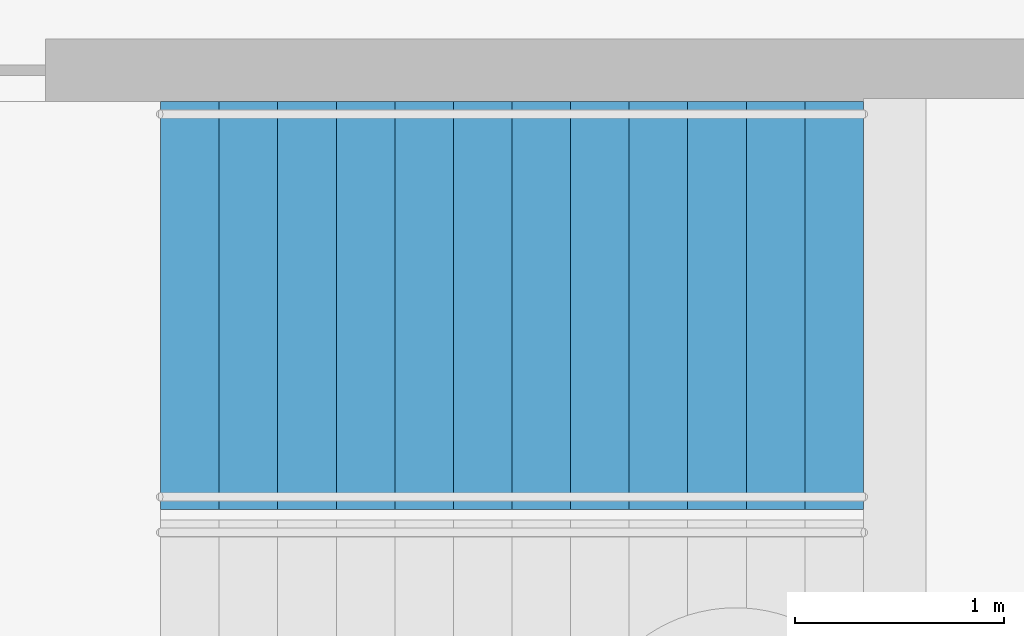
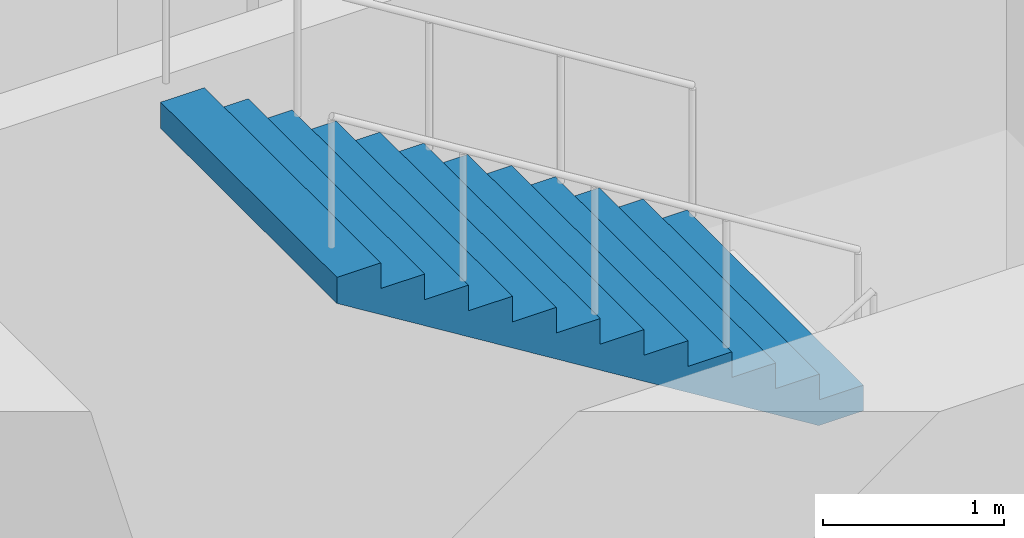
# One storey, part 10 of 28: 1 stair flight, 1 element without a shape of its own.
"""IFC4 building model written with IfcOpenShell, lengths in metres."""

from ifc_helpers import new_model, si_unit, direction, frame, origin, place, context, subcontext, project, spatial, triangles, material, type_object, element, aggregate, save


model = new_model("IFC4")

# Units and contexts
model_context = context("Model", 3, precision=1e-05, world=origin(), true_north=direction((0.0, 1.0)))
body_context = subcontext(model_context, "Body", "Model", "MODEL_VIEW")
ifc_project = project(units=[si_unit("LENGTHUNIT", "METRE"), si_unit("AREAUNIT", "SQUARE_METRE"), si_unit("VOLUMEUNIT", "CUBIC_METRE"), si_unit("PLANEANGLEUNIT", "RADIAN"), si_unit("MASSUNIT", "GRAM", prefix="KILO")], contexts=[model_context])

# Site, building, storey
site_placement = place(None, origin())
site = spatial("IfcSite", under=ifc_project, at=site_placement, CompositionType="ELEMENT")
building_placement = place(site_placement, origin())
building = spatial("IfcBuilding", under=site, at=building_placement, Name="Orbita Commons", CompositionType="ELEMENT")
storey_placement = place(building_placement, frame((0.0, 0.0, -9.0)))
storey = spatial("IfcBuildingStorey", under=building, at=storey_placement, Name="L-02", CompositionType="ELEMENT", Elevation=-9.0)

# Stair, stair flight
ifc_material_1 = material(Name="Precast concrete C40/50", Category="concrete")
stair_type = type_object("IfcStairType", Name="Exit stair S1 2 flights 13 risers 173", PredefinedType="HALF_TURN_STAIR", material=ifc_material_1)
stair_placement = place(storey_placement, origin())
stair = element("IfcStair", 1, at=stair_placement, inside=storey, type_object=stair_type, Name="Exit stair S1 L-02", PredefinedType="HALF_TURN_STAIR")
ifc_material_2 = material(Name="Precast concrete C40/50", Category="concrete")
stair_flight_type = type_object("IfcStairFlightType", Name="Stair flight 13 risers 173 x 280", PredefinedType="STRAIGHT", material=ifc_material_2)
stair_flight_placement = place(storey_placement, frame((23.81005859375, 29.27490234375, 2.25), z_axis=(0.0, 0.0, 1.0), x_axis=(-1.0, 0.0, 0.0)))
stair_flight = element("IfcStairFlight", 2, at=stair_flight_placement, type_object=stair_flight_type, Name="S1 flight 2", NumberOfRisers=13, NumberOfTreads=12, PredefinedType="STRAIGHT", RiserHeight=0.173076923, TreadLength=0.28, context=body_context, shape_type="Tessellation", body=[
    triangles([(0.0, 0.974976, 0.0), (0.0, 0.974976, 0.021635), (0.0, 0.81248, 0.021635), (0.0, 0.81248, 0.0), (0.0, 0.649984, 0.021635), (0.0, 0.649984, 0.0), (0.0, 0.487488, 0.021635), (0.0, 0.487488, 0.0), (0.0, 0.324992, 0.021635), (0.0, 0.324992, 0.0), (0.0, 0.162496, 0.021635), (0.0, 0.162496, 0.0), (0.0, 0.0, 0.021635), (0.0, 0.0, 0.0), (0.0, -0.162496, 0.021635), (0.0, -0.162496, 0.0), (0.0, -0.324992, 0.021635), (0.0, -0.324992, 0.0), (0.0, -0.487488, 0.021635), (0.0, -0.487488, 0.0), (0.0, -0.649984, 0.021635), (0.0, -0.649984, 0.0), (0.0, -0.81248, 0.021635), (0.0, -0.81248, 0.0), (0.0, -0.974976, 0.021635), (0.0, -0.974976, 0.0), (0.0, 0.974976, 0.043269), (0.0, 0.81248, 0.043269), (0.0, 0.649984, 0.043269), (0.0, 0.487488, 0.043269), (0.0, 0.324992, 0.043269), (0.0, 0.162496, 0.043269), (0.0, 0.0, 0.043269), (0.0, -0.162496, 0.043269), (0.0, -0.324992, 0.043269), (0.0, -0.487488, 0.043269), (0.0, -0.649984, 0.043269), (0.0, -0.81248, 0.043269), (0.0, -0.974976, 0.043269), (0.0, 0.974976, 0.064904), (0.0, 0.81248, 0.064904), (0.0, 0.649984, 0.064904), (0.0, 0.487488, 0.064904), (0.0, 0.324992, 0.064904), (0.0, 0.162496, 0.064904), (0.0, 0.0, 0.064904), (0.0, -0.162496, 0.064904), (0.0, -0.324992, 0.064904), (0.0, -0.487488, 0.064904), (0.0, -0.649984, 0.064904), (0.0, -0.81248, 0.064904), (0.0, -0.974976, 0.064904), (0.0, 0.974976, 0.086538), (0.0, 0.81248, 0.086538), (0.0, 0.649984, 0.086538), (0.0, 0.487488, 0.086538), (0.0, 0.324992, 0.086538), (0.0, 0.162496, 0.086538), (0.0, 0.0, 0.086538), (0.0, -0.162496, 0.086538), (0.0, -0.324992, 0.086538), (0.0, -0.487488, 0.086538), (0.0, -0.649984, 0.086538), (0.0, -0.81248, 0.086538), (0.0, -0.974976, 0.086538), (0.0, 0.974976, 0.108173), (0.0, 0.81248, 0.108173), (0.0, 0.649984, 0.108173), (0.0, 0.487488, 0.108173), (0.0, 0.324992, 0.108173), (0.0, 0.162496, 0.108173), (0.0, 0.0, 0.108173), (0.0, -0.162496, 0.108173), (0.0, -0.324992, 0.108173), (0.0, -0.487488, 0.108173), (0.0, -0.649984, 0.108173), (0.0, -0.81248, 0.108173), (0.0, -0.974976, 0.108173), (0.0, 0.974976, 0.129808), (0.0, 0.81248, 0.129808), (0.0, 0.649984, 0.129808), (0.0, 0.487488, 0.129808), (0.0, 0.324992, 0.129808), (0.0, 0.162496, 0.129808), (0.0, 0.0, 0.129808), (0.0, -0.162496, 0.129808), (0.0, -0.324992, 0.129808), (0.0, -0.487488, 0.129808), (0.0, -0.649984, 0.129808), (0.0, -0.81248, 0.129808), (0.0, -0.974976, 0.129808), (0.0, 0.974976, 0.151442), (0.0, 0.81248, 0.151442), (0.0, 0.649984, 0.151442), (0.0, 0.487488, 0.151442), (0.0, 0.324992, 0.151442), (0.0, 0.162496, 0.151442), (0.0, 0.0, 0.151442), (0.0, -0.162496, 0.151442), (0.0, -0.324992, 0.151442), (0.0, -0.487488, 0.151442), (0.0, -0.649984, 0.151442), (0.0, -0.81248, 0.151442), (0.0, -0.974976, 0.151442), (0.0, 0.974976, 0.173077), (0.0, 0.81248, 0.173077), (0.0, 0.649984, 0.173077), (0.0, 0.487488, 0.173077), (0.0, 0.324992, 0.173077), (0.0, 0.162496, 0.173077), (0.0, 0.0, 0.173077), (0.0, -0.162496, 0.173077), (0.0, -0.324992, 0.173077), (0.0, -0.487488, 0.173077), (0.0, -0.649984, 0.173077), (0.0, -0.81248, 0.173077), (0.0, -0.974976, 0.173077), (0.28, 0.974976, 0.173077), (0.28, 0.81248, 0.173077), (0.28, 0.649984, 0.173077), (0.28, 0.487488, 0.173077), (0.28, 0.324992, 0.173077), (0.28, 0.162496, 0.173077), (0.28, 0.0, 0.173077), (0.28, -0.162496, 0.173077), (0.28, -0.324992, 0.173077), (0.28, -0.487488, 0.173077), (0.28, -0.649984, 0.173077), (0.28, -0.81248, 0.173077), (0.28, -0.974976, 0.173077), (0.28, 0.974976, 0.346154), (0.28, 0.81248, 0.346154), (0.28, 0.649984, 0.346154), (0.28, 0.487488, 0.346154), (0.28, 0.324992, 0.346154), (0.28, 0.162496, 0.346154), (0.28, 0.0, 0.346154), (0.28, -0.162496, 0.346154), (0.28, -0.324992, 0.346154), (0.28, -0.487488, 0.346154), (0.28, -0.649984, 0.346154), (0.28, -0.81248, 0.346154), (0.28, -0.974976, 0.346154), (0.56, 0.974976, 0.346154), (0.56, 0.81248, 0.346154), (0.56, 0.649984, 0.346154), (0.56, 0.487488, 0.346154), (0.56, 0.324992, 0.346154), (0.56, 0.162496, 0.346154), (0.56, 0.0, 0.346154), (0.56, -0.162496, 0.346154), (0.56, -0.324992, 0.346154), (0.56, -0.487488, 0.346154), (0.56, -0.649984, 0.346154), (0.56, -0.81248, 0.346154), (0.56, -0.974976, 0.346154), (0.56, 0.974976, 0.519231), (0.56, 0.81248, 0.519231), (0.56, 0.649984, 0.519231), (0.56, 0.487488, 0.519231), (0.56, 0.324992, 0.519231), (0.56, 0.162496, 0.519231), (0.56, 0.0, 0.519231), (0.56, -0.162496, 0.519231), (0.56, -0.324992, 0.519231), (0.56, -0.487488, 0.519231), (0.56, -0.649984, 0.519231), (0.56, -0.81248, 0.519231), (0.56, -0.974976, 0.519231), (0.84, 0.974976, 0.519231), (0.84, 0.81248, 0.519231), (0.84, 0.649984, 0.519231), (0.84, 0.487488, 0.519231), (0.84, 0.324992, 0.519231), (0.84, 0.162496, 0.519231), (0.84, 0.0, 0.519231), (0.84, -0.162496, 0.519231), (0.84, -0.324992, 0.519231), (0.84, -0.487488, 0.519231), (0.84, -0.649984, 0.519231), (0.84, -0.81248, 0.519231), (0.84, -0.974976, 0.519231), (0.84, 0.974976, 0.692308), (0.84, 0.81248, 0.692308), (0.84, 0.649984, 0.692308), (0.84, 0.487488, 0.692308), (0.84, 0.324992, 0.692308), (0.84, 0.162496, 0.692308), (0.84, 0.0, 0.692308), (0.84, -0.162496, 0.692308), (0.84, -0.324992, 0.692308), (0.84, -0.487488, 0.692308), (0.84, -0.649984, 0.692308), (0.84, -0.81248, 0.692308), (0.84, -0.974976, 0.692308), (1.12, 0.974976, 0.692308), (1.12, 0.81248, 0.692308), (1.12, 0.649984, 0.692308), (1.12, 0.487488, 0.692308), (1.12, 0.324992, 0.692308), (1.12, 0.162496, 0.692308), (1.12, 0.0, 0.692308), (1.12, -0.162496, 0.692308), (1.12, -0.324992, 0.692308), (1.12, -0.487488, 0.692308), (1.12, -0.649984, 0.692308), (1.12, -0.81248, 0.692308), (1.12, -0.974976, 0.692308), (1.12, 0.974976, 0.865385), (1.12, 0.81248, 0.865385), (1.12, 0.649984, 0.865385), (1.12, 0.487488, 0.865385), (1.12, 0.324992, 0.865385), (1.12, 0.162496, 0.865385), (1.12, 0.0, 0.865385), (1.12, -0.162496, 0.865385), (1.12, -0.324992, 0.865385), (1.12, -0.487488, 0.865385), (1.12, -0.649984, 0.865385), (1.12, -0.81248, 0.865385), (1.12, -0.974976, 0.865385), (1.4, 0.974976, 0.865385), (1.4, 0.81248, 0.865385), (1.4, 0.649984, 0.865385), (1.4, 0.487488, 0.865385), (1.4, 0.324992, 0.865385), (1.4, 0.162496, 0.865385), (1.4, 0.0, 0.865385), (1.4, -0.162496, 0.865385), (1.4, -0.324992, 0.865385), (1.4, -0.487488, 0.865385), (1.4, -0.649984, 0.865385), (1.4, -0.81248, 0.865385), (1.4, -0.974976, 0.865385), (1.4, 0.974976, 1.038462), (1.4, 0.81248, 1.038462), (1.4, 0.649984, 1.038462), (1.4, 0.487488, 1.038462), (1.4, 0.324992, 1.038462), (1.4, 0.162496, 1.038462), (1.4, 0.0, 1.038462), (1.4, -0.162496, 1.038462), (1.4, -0.324992, 1.038462), (1.4, -0.487488, 1.038462), (1.4, -0.649984, 1.038462), (1.4, -0.81248, 1.038462), (1.4, -0.974976, 1.038462), (1.68, 0.974976, 1.038462), (1.68, 0.81248, 1.038462), (1.68, 0.649984, 1.038462), (1.68, 0.487488, 1.038462), (1.68, 0.324992, 1.038462), (1.68, 0.162496, 1.038462), (1.68, 0.0, 1.038462), (1.68, -0.162496, 1.038462), (1.68, -0.324992, 1.038462), (1.68, -0.487488, 1.038462), (1.68, -0.649984, 1.038462), (1.68, -0.81248, 1.038462), (1.68, -0.974976, 1.038462), (1.68, 0.974976, 1.211538), (1.68, 0.81248, 1.211538), (1.68, 0.649984, 1.211538), (1.68, 0.487488, 1.211538), (1.68, 0.324992, 1.211538), (1.68, 0.162496, 1.211538), (1.68, 0.0, 1.211538), (1.68, -0.162496, 1.211538), (1.68, -0.324992, 1.211538), (1.68, -0.487488, 1.211538), (1.68, -0.649984, 1.211538), (1.68, -0.81248, 1.211538), (1.68, -0.974976, 1.211538), (1.96, 0.974976, 1.211538), (1.96, 0.81248, 1.211538), (1.96, 0.649984, 1.211538), (1.96, 0.487488, 1.211538), (1.96, 0.324992, 1.211538), (1.96, 0.162496, 1.211538), (1.96, 0.0, 1.211538), (1.96, -0.162496, 1.211538), (1.96, -0.324992, 1.211538), (1.96, -0.487488, 1.211538), (1.96, -0.649984, 1.211538), (1.96, -0.81248, 1.211538), (1.96, -0.974976, 1.211538), (1.96, 0.974976, 1.384615), (1.96, 0.81248, 1.384615), (1.96, 0.649984, 1.384615), (1.96, 0.487488, 1.384615), (1.96, 0.324992, 1.384615), (1.96, 0.162496, 1.384615), (1.96, 0.0, 1.384615), (1.96, -0.162496, 1.384615), (1.96, -0.324992, 1.384615), (1.96, -0.487488, 1.384615), (1.96, -0.649984, 1.384615), (1.96, -0.81248, 1.384615), (1.96, -0.974976, 1.384615), (2.24, 0.974976, 1.384615), (2.24, 0.81248, 1.384615), (2.24, 0.649984, 1.384615), (2.24, 0.487488, 1.384615), (2.24, 0.324992, 1.384615), (2.24, 0.162496, 1.384615), (2.24, 0.0, 1.384615), (2.24, -0.162496, 1.384615), (2.24, -0.324992, 1.384615), (2.24, -0.487488, 1.384615), (2.24, -0.649984, 1.384615), (2.24, -0.81248, 1.384615), (2.24, -0.974976, 1.384615), (2.24, 0.974976, 1.557692), (2.24, 0.81248, 1.557692), (2.24, 0.649984, 1.557692), (2.24, 0.487488, 1.557692), (2.24, 0.324992, 1.557692), (2.24, 0.162496, 1.557692), (2.24, 0.0, 1.557692), (2.24, -0.162496, 1.557692), (2.24, -0.324992, 1.557692), (2.24, -0.487488, 1.557692), (2.24, -0.649984, 1.557692), (2.24, -0.81248, 1.557692), (2.24, -0.974976, 1.557692), (2.52, 0.974976, 1.557692), (2.52, 0.81248, 1.557692), (2.52, 0.649984, 1.557692), (2.52, 0.487488, 1.557692), (2.52, 0.324992, 1.557692), (2.52, 0.162496, 1.557692), (2.52, 0.0, 1.557692), (2.52, -0.162496, 1.557692), (2.52, -0.324992, 1.557692), (2.52, -0.487488, 1.557692), (2.52, -0.649984, 1.557692), (2.52, -0.81248, 1.557692), (2.52, -0.974976, 1.557692), (2.52, 0.974976, 1.730769), (2.52, 0.81248, 1.730769), (2.52, 0.649984, 1.730769), (2.52, 0.487488, 1.730769), (2.52, 0.324992, 1.730769), (2.52, 0.162496, 1.730769), (2.52, 0.0, 1.730769), (2.52, -0.162496, 1.730769), (2.52, -0.324992, 1.730769), (2.52, -0.487488, 1.730769), (2.52, -0.649984, 1.730769), (2.52, -0.81248, 1.730769), (2.52, -0.974976, 1.730769), (2.8, 0.974976, 1.730769), (2.8, 0.81248, 1.730769), (2.8, 0.649984, 1.730769), (2.8, 0.487488, 1.730769), (2.8, 0.324992, 1.730769), (2.8, 0.162496, 1.730769), (2.8, 0.0, 1.730769), (2.8, -0.162496, 1.730769), (2.8, -0.324992, 1.730769), (2.8, -0.487488, 1.730769), (2.8, -0.649984, 1.730769), (2.8, -0.81248, 1.730769), (2.8, -0.974976, 1.730769), (2.8, 0.974976, 1.903846), (2.8, 0.81248, 1.903846), (2.8, 0.649984, 1.903846), (2.8, 0.487488, 1.903846), (2.8, 0.324992, 1.903846), (2.8, 0.162496, 1.903846), (2.8, 0.0, 1.903846), (2.8, -0.162496, 1.903846), (2.8, -0.324992, 1.903846), (2.8, -0.487488, 1.903846), (2.8, -0.649984, 1.903846), (2.8, -0.81248, 1.903846), (2.8, -0.974976, 1.903846), (3.08, 0.974976, 1.903846), (3.08, 0.81248, 1.903846), (3.08, 0.649984, 1.903846), (3.08, 0.487488, 1.903846), (3.08, 0.324992, 1.903846), (3.08, 0.162496, 1.903846), (3.08, 0.0, 1.903846), (3.08, -0.162496, 1.903846), (3.08, -0.324992, 1.903846), (3.08, -0.487488, 1.903846), (3.08, -0.649984, 1.903846), (3.08, -0.81248, 1.903846), (3.08, -0.974976, 1.903846), (3.08, 0.974976, 2.076923), (3.08, 0.81248, 2.076923), (3.08, 0.649984, 2.076923), (3.08, 0.487488, 2.076923), (3.08, 0.324992, 2.076923), (3.08, 0.162496, 2.076923), (3.08, 0.0, 2.076923), (3.08, -0.162496, 2.076923), (3.08, -0.324992, 2.076923), (3.08, -0.487488, 2.076923), (3.08, -0.649984, 2.076923), (3.08, -0.81248, 2.076923), (3.08, -0.974976, 2.076923), (3.36, 0.974976, 2.076923), (3.36, 0.81248, 2.076923), (3.36, 0.649984, 2.076923), (3.36, 0.487488, 2.076923), (3.36, 0.324992, 2.076923), (3.36, 0.162496, 2.076923), (3.36, 0.0, 2.076923), (3.36, -0.162496, 2.076923), (3.36, -0.324992, 2.076923), (3.36, -0.487488, 2.076923), (3.36, -0.649984, 2.076923), (3.36, -0.81248, 2.076923), (3.36, -0.974976, 2.076923), (3.36, 0.974976, 2.054895), (3.36, 0.81248, 2.054895), (3.36, 0.649984, 2.054895), (3.36, 0.487488, 2.054895), (3.36, 0.324992, 2.054895), (3.36, 0.162496, 2.054895), (3.36, 0.0, 2.054895), (3.36, -0.162496, 2.054895), (3.36, -0.324992, 2.054895), (3.36, -0.487488, 2.054895), (3.36, -0.649984, 2.054895), (3.36, -0.81248, 2.054895), (3.36, -0.974976, 2.054895), (3.36, 0.974976, 2.032866), (3.36, 0.81248, 2.032866), (3.36, 0.649984, 2.032866), (3.36, 0.487488, 2.032866), (3.36, 0.324992, 2.032866), (3.36, 0.162496, 2.032866), (3.36, 0.0, 2.032866), (3.36, -0.162496, 2.032866), (3.36, -0.324992, 2.032866), (3.36, -0.487488, 2.032866), (3.36, -0.649984, 2.032866), (3.36, -0.81248, 2.032866), (3.36, -0.974976, 2.032866), (3.36, 0.974976, 2.010837), (3.36, 0.81248, 2.010837), (3.36, 0.649984, 2.010837), (3.36, 0.487488, 2.010837), (3.36, 0.324992, 2.010837), (3.36, 0.162496, 2.010837), (3.36, 0.0, 2.010837), (3.36, -0.162496, 2.010837), (3.36, -0.324992, 2.010837), (3.36, -0.487488, 2.010837), (3.36, -0.649984, 2.010837), (3.36, -0.81248, 2.010837), (3.36, -0.974976, 2.010837), (3.36, 0.974976, 1.988809), (3.36, 0.81248, 1.988809), (3.36, 0.649984, 1.988809), (3.36, 0.487488, 1.988809), (3.36, 0.324992, 1.988809), (3.36, 0.162496, 1.988809), (3.36, 0.0, 1.988809), (3.36, -0.162496, 1.988809), (3.36, -0.324992, 1.988809), (3.36, -0.487488, 1.988809), (3.36, -0.649984, 1.988809), (3.36, -0.81248, 1.988809), (3.36, -0.974976, 1.988809), (3.36, 0.974976, 1.96678), (3.36, 0.81248, 1.96678), (3.36, 0.649984, 1.96678), (3.36, 0.487488, 1.96678), (3.36, 0.324992, 1.96678), (3.36, 0.162496, 1.96678), (3.36, 0.0, 1.96678), (3.36, -0.162496, 1.96678), (3.36, -0.324992, 1.96678), (3.36, -0.487488, 1.96678), (3.36, -0.649984, 1.96678), (3.36, -0.81248, 1.96678), (3.36, -0.974976, 1.96678), (3.36, 0.974976, 1.944752), (3.36, 0.81248, 1.944752), (3.36, 0.649984, 1.944752), (3.36, 0.487488, 1.944752), (3.36, 0.324992, 1.944752), (3.36, 0.162496, 1.944752), (3.36, 0.0, 1.944752), (3.36, -0.162496, 1.944752), (3.36, -0.324992, 1.944752), (3.36, -0.487488, 1.944752), (3.36, -0.649984, 1.944752), (3.36, -0.81248, 1.944752), (3.36, -0.974976, 1.944752), (3.36, 0.974976, 1.922723), (3.36, 0.81248, 1.922723), (3.36, 0.649984, 1.922723), (3.36, 0.487488, 1.922723), (3.36, 0.324992, 1.922723), (3.36, 0.162496, 1.922723), (3.36, 0.0, 1.922723), (3.36, -0.162496, 1.922723), (3.36, -0.324992, 1.922723), (3.36, -0.487488, 1.922723), (3.36, -0.649984, 1.922723), (3.36, -0.81248, 1.922723), (3.36, -0.974976, 1.922723), (3.36, 0.974976, 1.900695), (3.36, 0.81248, 1.900695), (3.36, 0.649984, 1.900695), (3.36, 0.487488, 1.900695), (3.36, 0.324992, 1.900695), (3.36, 0.162496, 1.900695), (3.36, 0.0, 1.900695), (3.36, -0.162496, 1.900695), (3.36, -0.324992, 1.900695), (3.36, -0.487488, 1.900695), (3.36, -0.649984, 1.900695), (3.36, -0.81248, 1.900695), (3.36, -0.974976, 1.900695), (0.285099, 0.974976, 0.0), (0.285099, 0.81248, 0.0), (0.285099, 0.649984, 0.0), (0.285099, 0.487488, 0.0), (0.285099, 0.324992, 0.0), (0.285099, 0.162496, 0.0), (0.285099, 0.0, 0.0), (0.285099, -0.162496, 0.0), (0.285099, -0.324992, 0.0), (0.285099, -0.487488, 0.0), (0.285099, -0.649984, 0.0), (0.285099, -0.81248, 0.0), (0.285099, -0.974976, 0.0)], [[3, 2, 1], [4, 3, 1], [5, 3, 4], [6, 5, 4], [7, 5, 6], [8, 7, 6], [9, 7, 8], [10, 9, 8], [11, 9, 10], [12, 11, 10], [13, 11, 12], [14, 13, 12], [15, 13, 14], [16, 15, 14], [17, 15, 16], [18, 17, 16], [19, 17, 18], [20, 19, 18], [21, 19, 20], [22, 21, 20], [23, 21, 22], [24, 23, 22], [25, 23, 24], [26, 25, 24], [28, 27, 2], [3, 28, 2], [29, 28, 3], [5, 29, 3], [30, 29, 5], [7, 30, 5], [31, 30, 7], [9, 31, 7], [32, 31, 9], [11, 32, 9], [33, 32, 11], [13, 33, 11], [34, 33, 13], [15, 34, 13], [35, 34, 15], [17, 35, 15], [36, 35, 17], [19, 36, 17], [37, 36, 19], [21, 37, 19], [38, 37, 21], [23, 38, 21], [39, 38, 23], [25, 39, 23], [41, 40, 27], [28, 41, 27], [42, 41, 28], [29, 42, 28], [43, 42, 29], [30, 43, 29], [44, 43, 30], [31, 44, 30], [45, 44, 31], [32, 45, 31], [46, 45, 32], [33, 46, 32], [47, 46, 33], [34, 47, 33], [48, 47, 34], [35, 48, 34], [49, 48, 35], [36, 49, 35], [50, 49, 36], [37, 50, 36], [51, 50, 37], [38, 51, 37], [52, 51, 38], [39, 52, 38], [54, 53, 40], [41, 54, 40], [55, 54, 41], [42, 55, 41], [56, 55, 42], [43, 56, 42], [57, 56, 43], [44, 57, 43], [58, 57, 44], [45, 58, 44], [59, 58, 45], [46, 59, 45], [60, 59, 46], [47, 60, 46], [61, 60, 47], [48, 61, 47], [62, 61, 48], [49, 62, 48], [63, 62, 49], [50, 63, 49], [64, 63, 50], [51, 64, 50], [65, 64, 51], [52, 65, 51], [67, 66, 53], [54, 67, 53], [68, 67, 54], [55, 68, 54], [69, 68, 55], [56, 69, 55], [70, 69, 56], [57, 70, 56], [71, 70, 57], [58, 71, 57], [72, 71, 58], [59, 72, 58], [73, 72, 59], [60, 73, 59], [74, 73, 60], [61, 74, 60], [75, 74, 61], [62, 75, 61], [76, 75, 62], [63, 76, 62], [77, 76, 63], [64, 77, 63], [78, 77, 64], [65, 78, 64], [80, 79, 66], [67, 80, 66], [81, 80, 67], [68, 81, 67], [82, 81, 68], [69, 82, 68], [83, 82, 69], [70, 83, 69], [84, 83, 70], [71, 84, 70], [85, 84, 71], [72, 85, 71], [86, 85, 72], [73, 86, 72], [87, 86, 73], [74, 87, 73], [88, 87, 74], [75, 88, 74], [89, 88, 75], [76, 89, 75], [90, 89, 76], [77, 90, 76], [91, 90, 77], [78, 91, 77], [93, 92, 79], [80, 93, 79], [94, 93, 80], [81, 94, 80], [95, 94, 81], [82, 95, 81], [96, 95, 82], [83, 96, 82], [97, 96, 83], [84, 97, 83], [98, 97, 84], [85, 98, 84], [99, 98, 85], [86, 99, 85], [100, 99, 86], [87, 100, 86], [101, 100, 87], [88, 101, 87], [102, 101, 88], [89, 102, 88], [103, 102, 89], [90, 103, 89], [104, 103, 90], [91, 104, 90], [106, 105, 92], [93, 106, 92], [107, 106, 93], [94, 107, 93], [108, 107, 94], [95, 108, 94], [109, 108, 95], [96, 109, 95], [110, 109, 96], [97, 110, 96], [111, 110, 97], [98, 111, 97], [112, 111, 98], [99, 112, 98], [113, 112, 99], [100, 113, 99], [114, 113, 100], [101, 114, 100], [115, 114, 101], [102, 115, 101], [116, 115, 102], [103, 116, 102], [117, 116, 103], [104, 117, 103], [119, 118, 105], [106, 119, 105], [120, 119, 106], [107, 120, 106], [121, 120, 107], [108, 121, 107], [122, 121, 108], [109, 122, 108], [123, 122, 109], [110, 123, 109], [124, 123, 110], [111, 124, 110], [125, 124, 111], [112, 125, 111], [126, 125, 112], [113, 126, 112], [127, 126, 113], [114, 127, 113], [128, 127, 114], [115, 128, 114], [129, 128, 115], [116, 129, 115], [130, 129, 116], [117, 130, 116], [132, 131, 118], [119, 132, 118], [133, 132, 119], [120, 133, 119], [134, 133, 120], [121, 134, 120], [135, 134, 121], [122, 135, 121], [136, 135, 122], [123, 136, 122], [137, 136, 123], [124, 137, 123], [138, 137, 124], [125, 138, 124], [139, 138, 125], [126, 139, 125], [140, 139, 126], [127, 140, 126], [141, 140, 127], [128, 141, 127], [142, 141, 128], [129, 142, 128], [143, 142, 129], [130, 143, 129], [145, 144, 131], [132, 145, 131], [146, 145, 132], [133, 146, 132], [147, 146, 133], [134, 147, 133], [148, 147, 134], [135, 148, 134], [149, 148, 135], [136, 149, 135], [150, 149, 136], [137, 150, 136], [151, 150, 137], [138, 151, 137], [152, 151, 138], [139, 152, 138], [153, 152, 139], [140, 153, 139], [154, 153, 140], [141, 154, 140], [155, 154, 141], [142, 155, 141], [156, 155, 142], [143, 156, 142], [158, 157, 144], [145, 158, 144], [159, 158, 145], [146, 159, 145], [160, 159, 146], [147, 160, 146], [161, 160, 147], [148, 161, 147], [162, 161, 148], [149, 162, 148], [163, 162, 149], [150, 163, 149], [164, 163, 150], [151, 164, 150], [165, 164, 151], [152, 165, 151], [166, 165, 152], [153, 166, 152], [167, 166, 153], [154, 167, 153], [168, 167, 154], [155, 168, 154], [169, 168, 155], [156, 169, 155], [171, 170, 157], [158, 171, 157], [172, 171, 158], [159, 172, 158], [173, 172, 159], [160, 173, 159], [174, 173, 160], [161, 174, 160], [175, 174, 161], [162, 175, 161], [176, 175, 162], [163, 176, 162], [177, 176, 163], [164, 177, 163], [178, 177, 164], [165, 178, 164], [179, 178, 165], [166, 179, 165], [180, 179, 166], [167, 180, 166], [181, 180, 167], [168, 181, 167], [182, 181, 168], [169, 182, 168], [184, 183, 170], [171, 184, 170], [185, 184, 171], [172, 185, 171], [186, 185, 172], [173, 186, 172], [187, 186, 173], [174, 187, 173], [188, 187, 174], [175, 188, 174], [189, 188, 175], [176, 189, 175], [190, 189, 176], [177, 190, 176], [191, 190, 177], [178, 191, 177], [192, 191, 178], [179, 192, 178], [193, 192, 179], [180, 193, 179], [194, 193, 180], [181, 194, 180], [195, 194, 181], [182, 195, 181], [197, 196, 183], [184, 197, 183], [198, 197, 184], [185, 198, 184], [199, 198, 185], [186, 199, 185], [200, 199, 186], [187, 200, 186], [201, 200, 187], [188, 201, 187], [202, 201, 188], [189, 202, 188], [203, 202, 189], [190, 203, 189], [204, 203, 190], [191, 204, 190], [205, 204, 191], [192, 205, 191], [206, 205, 192], [193, 206, 192], [207, 206, 193], [194, 207, 193], [208, 207, 194], [195, 208, 194], [210, 209, 196], [197, 210, 196], [211, 210, 197], [198, 211, 197], [212, 211, 198], [199, 212, 198], [213, 212, 199], [200, 213, 199], [214, 213, 200], [201, 214, 200], [215, 214, 201], [202, 215, 201], [216, 215, 202], [203, 216, 202], [217, 216, 203], [204, 217, 203], [218, 217, 204], [205, 218, 204], [219, 218, 205], [206, 219, 205], [220, 219, 206], [207, 220, 206], [221, 220, 207], [208, 221, 207], [223, 222, 209], [210, 223, 209], [224, 223, 210], [211, 224, 210], [225, 224, 211], [212, 225, 211], [226, 225, 212], [213, 226, 212], [227, 226, 213], [214, 227, 213], [228, 227, 214], [215, 228, 214], [229, 228, 215], [216, 229, 215], [230, 229, 216], [217, 230, 216], [231, 230, 217], [218, 231, 217], [232, 231, 218], [219, 232, 218], [233, 232, 219], [220, 233, 219], [234, 233, 220], [221, 234, 220], [236, 235, 222], [223, 236, 222], [237, 236, 223], [224, 237, 223], [238, 237, 224], [225, 238, 224], [239, 238, 225], [226, 239, 225], [240, 239, 226], [227, 240, 226], [241, 240, 227], [228, 241, 227], [242, 241, 228], [229, 242, 228], [243, 242, 229], [230, 243, 229], [244, 243, 230], [231, 244, 230], [245, 244, 231], [232, 245, 231], [246, 245, 232], [233, 246, 232], [247, 246, 233], [234, 247, 233], [249, 248, 235], [236, 249, 235], [250, 249, 236], [237, 250, 236], [251, 250, 237], [238, 251, 237], [252, 251, 238], [239, 252, 238], [253, 252, 239], [240, 253, 239], [254, 253, 240], [241, 254, 240], [255, 254, 241], [242, 255, 241], [256, 255, 242], [243, 256, 242], [257, 256, 243], [244, 257, 243], [258, 257, 244], [245, 258, 244], [259, 258, 245], [246, 259, 245], [260, 259, 246], [247, 260, 246], [262, 261, 248], [249, 262, 248], [263, 262, 249], [250, 263, 249], [264, 263, 250], [251, 264, 250], [265, 264, 251], [252, 265, 251], [266, 265, 252], [253, 266, 252], [267, 266, 253], [254, 267, 253], [268, 267, 254], [255, 268, 254], [269, 268, 255], [256, 269, 255], [270, 269, 256], [257, 270, 256], [271, 270, 257], [258, 271, 257], [272, 271, 258], [259, 272, 258], [273, 272, 259], [260, 273, 259], [275, 274, 261], [262, 275, 261], [276, 275, 262], [263, 276, 262], [277, 276, 263], [264, 277, 263], [278, 277, 264], [265, 278, 264], [279, 278, 265], [266, 279, 265], [280, 279, 266], [267, 280, 266], [281, 280, 267], [268, 281, 267], [282, 281, 268], [269, 282, 268], [283, 282, 269], [270, 283, 269], [284, 283, 270], [271, 284, 270], [285, 284, 271], [272, 285, 271], [286, 285, 272], [273, 286, 272], [288, 287, 274], [275, 288, 274], [289, 288, 275], [276, 289, 275], [290, 289, 276], [277, 290, 276], [291, 290, 277], [278, 291, 277], [292, 291, 278], [279, 292, 278], [293, 292, 279], [280, 293, 279], [294, 293, 280], [281, 294, 280], [295, 294, 281], [282, 295, 281], [296, 295, 282], [283, 296, 282], [297, 296, 283], [284, 297, 283], [298, 297, 284], [285, 298, 284], [299, 298, 285], [286, 299, 285], [301, 300, 287], [288, 301, 287], [302, 301, 288], [289, 302, 288], [303, 302, 289], [290, 303, 289], [304, 303, 290], [291, 304, 290], [305, 304, 291], [292, 305, 291], [306, 305, 292], [293, 306, 292], [307, 306, 293], [294, 307, 293], [308, 307, 294], [295, 308, 294], [309, 308, 295], [296, 309, 295], [310, 309, 296], [297, 310, 296], [311, 310, 297], [298, 311, 297], [312, 311, 298], [299, 312, 298], [314, 313, 300], [301, 314, 300], [315, 314, 301], [302, 315, 301], [316, 315, 302], [303, 316, 302], [317, 316, 303], [304, 317, 303], [318, 317, 304], [305, 318, 304], [319, 318, 305], [306, 319, 305], [320, 319, 306], [307, 320, 306], [321, 320, 307], [308, 321, 307], [322, 321, 308], [309, 322, 308], [323, 322, 309], [310, 323, 309], [324, 323, 310], [311, 324, 310], [325, 324, 311], [312, 325, 311], [327, 326, 313], [314, 327, 313], [328, 327, 314], [315, 328, 314], [329, 328, 315], [316, 329, 315], [330, 329, 316], [317, 330, 316], [331, 330, 317], [318, 331, 317], [332, 331, 318], [319, 332, 318], [333, 332, 319], [320, 333, 319], [334, 333, 320], [321, 334, 320], [335, 334, 321], [322, 335, 321], [336, 335, 322], [323, 336, 322], [337, 336, 323], [324, 337, 323], [338, 337, 324], [325, 338, 324], [340, 339, 326], [327, 340, 326], [341, 340, 327], [328, 341, 327], [342, 341, 328], [329, 342, 328], [343, 342, 329], [330, 343, 329], [344, 343, 330], [331, 344, 330], [345, 344, 331], [332, 345, 331], [346, 345, 332], [333, 346, 332], [347, 346, 333], [334, 347, 333], [348, 347, 334], [335, 348, 334], [349, 348, 335], [336, 349, 335], [350, 349, 336], [337, 350, 336], [351, 350, 337], [338, 351, 337], [353, 352, 339], [340, 353, 339], [354, 353, 340], [341, 354, 340], [355, 354, 341], [342, 355, 341], [356, 355, 342], [343, 356, 342], [357, 356, 343], [344, 357, 343], [358, 357, 344], [345, 358, 344], [359, 358, 345], [346, 359, 345], [360, 359, 346], [347, 360, 346], [361, 360, 347], [348, 361, 347], [362, 361, 348], [349, 362, 348], [363, 362, 349], [350, 363, 349], [364, 363, 350], [351, 364, 350], [366, 365, 352], [353, 366, 352], [367, 366, 353], [354, 367, 353], [368, 367, 354], [355, 368, 354], [369, 368, 355], [356, 369, 355], [370, 369, 356], [357, 370, 356], [371, 370, 357], [358, 371, 357], [372, 371, 358], [359, 372, 358], [373, 372, 359], [360, 373, 359], [374, 373, 360], [361, 374, 360], [375, 374, 361], [362, 375, 361], [376, 375, 362], [363, 376, 362], [377, 376, 363], [364, 377, 363], [379, 378, 365], [366, 379, 365], [380, 379, 366], [367, 380, 366], [381, 380, 367], [368, 381, 367], [382, 381, 368], [369, 382, 368], [383, 382, 369], [370, 383, 369], [384, 383, 370], [371, 384, 370], [385, 384, 371], [372, 385, 371], [386, 385, 372], [373, 386, 372], [387, 386, 373], [374, 387, 373], [388, 387, 374], [375, 388, 374], [389, 388, 375], [376, 389, 375], [390, 389, 376], [377, 390, 376], [392, 391, 378], [379, 392, 378], [393, 392, 379], [380, 393, 379], [394, 393, 380], [381, 394, 380], [395, 394, 381], [382, 395, 381], [396, 395, 382], [383, 396, 382], [397, 396, 383], [384, 397, 383], [398, 397, 384], [385, 398, 384], [399, 398, 385], [386, 399, 385], [400, 399, 386], [387, 400, 386], [401, 400, 387], [388, 401, 387], [402, 401, 388], [389, 402, 388], [403, 402, 389], [390, 403, 389], [405, 404, 391], [392, 405, 391], [406, 405, 392], [393, 406, 392], [407, 406, 393], [394, 407, 393], [408, 407, 394], [395, 408, 394], [409, 408, 395], [396, 409, 395], [410, 409, 396], [397, 410, 396], [411, 410, 397], [398, 411, 397], [412, 411, 398], [399, 412, 398], [413, 412, 399], [400, 413, 399], [414, 413, 400], [401, 414, 400], [415, 414, 401], [402, 415, 401], [416, 415, 402], [403, 416, 402], [418, 417, 404], [405, 418, 404], [419, 418, 405], [406, 419, 405], [420, 419, 406], [407, 420, 406], [421, 420, 407], [408, 421, 407], [422, 421, 408], [409, 422, 408], [423, 422, 409], [410, 423, 409], [424, 423, 410], [411, 424, 410], [425, 424, 411], [412, 425, 411], [426, 425, 412], [413, 426, 412], [427, 426, 413], [414, 427, 413], [428, 427, 414], [415, 428, 414], [429, 428, 415], [416, 429, 415], [431, 430, 417], [418, 431, 417], [432, 431, 418], [419, 432, 418], [433, 432, 419], [420, 433, 419], [434, 433, 420], [421, 434, 420], [435, 434, 421], [422, 435, 421], [436, 435, 422], [423, 436, 422], [437, 436, 423], [424, 437, 423], [438, 437, 424], [425, 438, 424], [439, 438, 425], [426, 439, 425], [440, 439, 426], [427, 440, 426], [441, 440, 427], [428, 441, 427], [442, 441, 428], [429, 442, 428], [444, 443, 430], [431, 444, 430], [445, 444, 431], [432, 445, 431], [446, 445, 432], [433, 446, 432], [447, 446, 433], [434, 447, 433], [448, 447, 434], [435, 448, 434], [449, 448, 435], [436, 449, 435], [450, 449, 436], [437, 450, 436], [451, 450, 437], [438, 451, 437], [452, 451, 438], [439, 452, 438], [453, 452, 439], [440, 453, 439], [454, 453, 440], [441, 454, 440], [455, 454, 441], [442, 455, 441], [457, 456, 443], [444, 457, 443], [458, 457, 444], [445, 458, 444], [459, 458, 445], [446, 459, 445], [460, 459, 446], [447, 460, 446], [461, 460, 447], [448, 461, 447], [462, 461, 448], [449, 462, 448], [463, 462, 449], [450, 463, 449], [464, 463, 450], [451, 464, 450], [465, 464, 451], [452, 465, 451], [466, 465, 452], [453, 466, 452], [467, 466, 453], [454, 467, 453], [468, 467, 454], [455, 468, 454], [470, 469, 456], [457, 470, 456], [471, 470, 457], [458, 471, 457], [472, 471, 458], [459, 472, 458], [473, 472, 459], [460, 473, 459], [474, 473, 460], [461, 474, 460], [475, 474, 461], [462, 475, 461], [476, 475, 462], [463, 476, 462], [477, 476, 463], [464, 477, 463], [478, 477, 464], [465, 478, 464], [479, 478, 465], [466, 479, 465], [480, 479, 466], [467, 480, 466], [481, 480, 467], [468, 481, 467], [483, 482, 469], [470, 483, 469], [484, 483, 470], [471, 484, 470], [485, 484, 471], [472, 485, 471], [486, 485, 472], [473, 486, 472], [487, 486, 473], [474, 487, 473], [488, 487, 474], [475, 488, 474], [489, 488, 475], [476, 489, 475], [490, 489, 476], [477, 490, 476], [491, 490, 477], [478, 491, 477], [492, 491, 478], [479, 492, 478], [493, 492, 479], [480, 493, 479], [494, 493, 480], [481, 494, 480], [496, 495, 482], [483, 496, 482], [497, 496, 483], [484, 497, 483], [498, 497, 484], [485, 498, 484], [499, 498, 485], [486, 499, 485], [500, 499, 486], [487, 500, 486], [501, 500, 487], [488, 501, 487], [502, 501, 488], [489, 502, 488], [503, 502, 489], [490, 503, 489], [504, 503, 490], [491, 504, 490], [505, 504, 491], [492, 505, 491], [506, 505, 492], [493, 506, 492], [507, 506, 493], [494, 507, 493], [509, 508, 495], [496, 509, 495], [510, 509, 496], [497, 510, 496], [511, 510, 497], [498, 511, 497], [512, 511, 498], [499, 512, 498], [513, 512, 499], [500, 513, 499], [514, 513, 500], [501, 514, 500], [515, 514, 501], [502, 515, 501], [516, 515, 502], [503, 516, 502], [517, 516, 503], [504, 517, 503], [518, 517, 504], [505, 518, 504], [519, 518, 505], [506, 519, 505], [520, 519, 506], [507, 520, 506], [522, 521, 508], [509, 522, 508], [523, 522, 509], [510, 523, 509], [524, 523, 510], [511, 524, 510], [525, 524, 511], [512, 525, 511], [526, 525, 512], [513, 526, 512], [527, 526, 513], [514, 527, 513], [528, 527, 514], [515, 528, 514], [529, 528, 515], [516, 529, 515], [530, 529, 516], [517, 530, 516], [531, 530, 517], [518, 531, 517], [532, 531, 518], [519, 532, 518], [533, 532, 519], [520, 533, 519], [4, 1, 521], [522, 4, 521], [6, 4, 522], [523, 6, 522], [8, 6, 523], [524, 8, 523], [10, 8, 524], [525, 10, 524], [12, 10, 525], [526, 12, 525], [14, 12, 526], [527, 14, 526], [16, 14, 527], [528, 16, 527], [18, 16, 528], [529, 18, 528], [20, 18, 529], [530, 20, 529], [22, 20, 530], [531, 22, 530], [24, 22, 531], [532, 24, 531], [26, 24, 532], [533, 26, 532], [508, 521, 1], [26, 533, 520], [495, 508, 1], [26, 520, 507], [482, 495, 1], [26, 507, 494], [469, 482, 1], [26, 494, 481], [456, 469, 1], [26, 481, 468], [443, 456, 1], [26, 468, 455], [430, 443, 1], [26, 455, 442], [417, 430, 1], [26, 442, 429], [391, 404, 417], [429, 416, 403], [378, 391, 417], [429, 403, 390], [352, 365, 378], [390, 377, 364], [352, 378, 417], [429, 390, 364], [326, 339, 352], [364, 351, 338], [326, 352, 417], [429, 364, 338], [300, 313, 326], [338, 325, 312], [300, 326, 417], [429, 338, 312], [274, 287, 300], [312, 299, 286], [274, 300, 417], [429, 312, 286], [248, 261, 274], [286, 273, 260], [248, 274, 417], [429, 286, 260], [222, 235, 248], [260, 247, 234], [222, 248, 417], [429, 260, 234], [196, 209, 222], [234, 221, 208], [196, 222, 417], [429, 234, 208], [170, 183, 196], [208, 195, 182], [170, 196, 417], [429, 208, 182], [144, 157, 170], [182, 169, 156], [144, 170, 417], [429, 182, 156], [118, 131, 144], [156, 143, 130], [118, 144, 417], [429, 156, 130], [118, 417, 1], [26, 429, 130], [92, 105, 118], [130, 117, 104], [79, 92, 118], [130, 104, 91], [66, 79, 118], [130, 91, 78], [53, 66, 118], [130, 78, 65], [40, 53, 118], [130, 65, 52], [27, 40, 118], [130, 52, 39], [2, 27, 118], [130, 39, 25], [1, 2, 118], [130, 25, 26]], closed=True),
])
aggregate(stair, [stair_flight])

save(model, "model.ifc")
